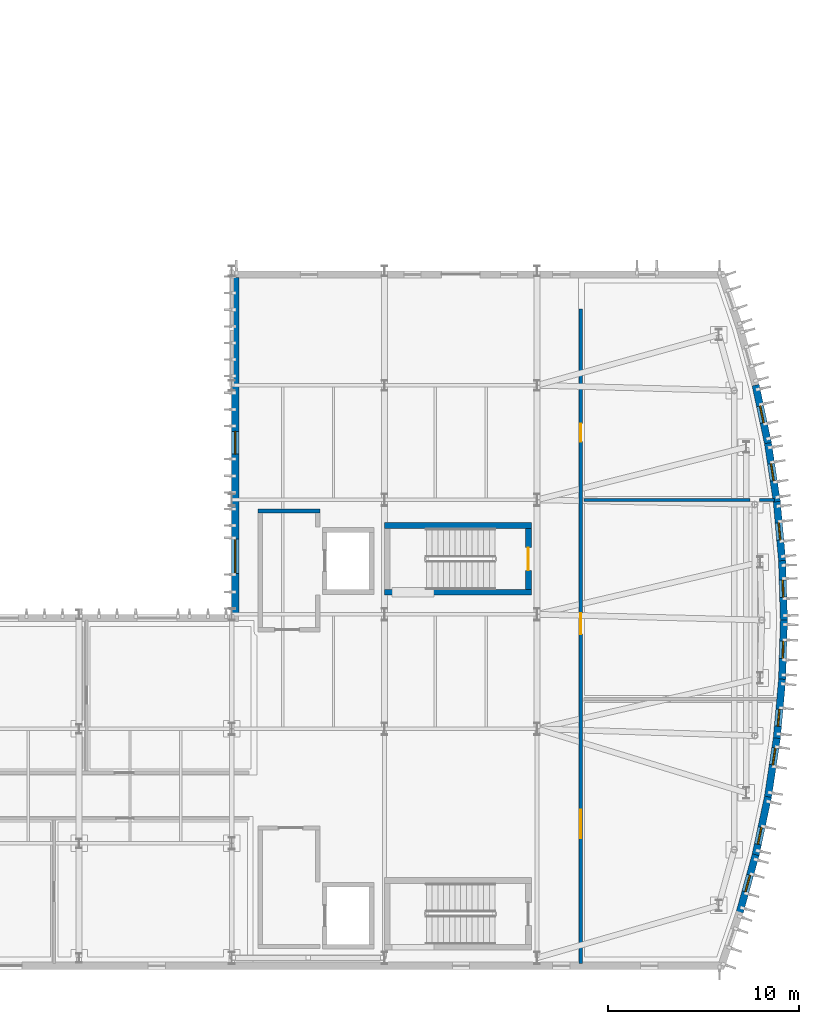
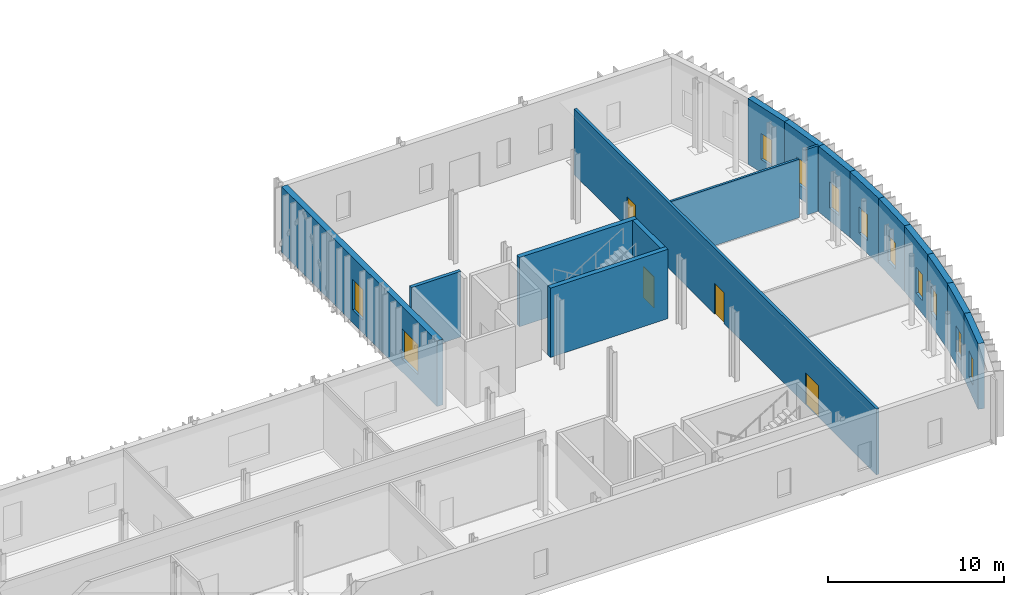
# One storey, part 33 of 60: 17 walls, 11 windows, 4 doors, 15 openings.
"""IFC4 building model written with IfcOpenShell, lengths in metres."""

from ifc_helpers import new_model, si_unit, direction, frame, frame_2d, origin, place, context, subcontext, project, spatial, rectangle, extrude, material, layer, layer_set, type_object, element, fill, save


model = new_model("IFC4")

# Units and contexts
model_context = context("Model", 3, precision=1e-05, world=origin(), true_north=direction((0.0, 1.0)))
body_context = subcontext(model_context, "Body", "Model", "MODEL_VIEW")
ifc_project = project(units=[si_unit("LENGTHUNIT", "METRE"), si_unit("AREAUNIT", "SQUARE_METRE"), si_unit("VOLUMEUNIT", "CUBIC_METRE"), si_unit("PLANEANGLEUNIT", "RADIAN"), si_unit("MASSUNIT", "GRAM", prefix="KILO")], contexts=[model_context])

# Site, building, storey
site_placement = place(None, origin())
site = spatial("IfcSite", under=ifc_project, at=site_placement, CompositionType="ELEMENT")
building_placement = place(site_placement, origin())
building = spatial("IfcBuilding", under=site, at=building_placement, Name="Cymarion Research Institute", CompositionType="ELEMENT")
storey_placement = place(building_placement, origin())
storey = spatial("IfcBuildingStorey", under=building, at=storey_placement, Name="L00", CompositionType="ELEMENT", Elevation=0.0)

# Wall, opening, window
ifc_material_1 = material(Name="Precast concrete C40/50", Category="concrete")
ifc_layer_1 = layer(ifc_material_1, 0.3798828125)
ifc_layer_set_1 = layer_set([ifc_layer_1], Name="Precast concrete C40/50")
wall_type_1 = type_object("IfcWallType", Name="EXTERIOR WALL EW-PC380 380MM", PredefinedType="SOLIDWALL", material=ifc_layer_set_1)
wall_1_placement = place(storey_placement, frame((165.222412109375, 7.8876953125, 0.0), z_axis=(0.0, 0.0, 1.0), x_axis=(0.266536691105, 0.963824772609, 0.0)))
wall_1 = element("IfcWall", 1, at=wall_1_placement, inside=storey, type_object=wall_type_1, Name="L00 V1 exterior wall EW-PC380 #40", PredefinedType="SOLIDWALL", context=body_context, shape_type="SweptSolid", body=[
    extrude(rectangle(XDim=3.1279296875, YDim=0.3798828125, at=frame_2d((1.56396484375, 0.0))), origin(), (0.0, 0.0, 1.0), 4.550048828125),
])
opening_1_placement = place(wall_1_placement, frame((1.114013671875, 0.0, 0.89990234375)))
opening_1 = element("IfcOpeningElement", 2, at=opening_1_placement, cuts=wall_1, Name="Opening W24", PredefinedType="OPENING", context=body_context, shape_type="SweptSolid", body=[
    extrude(rectangle(XDim=0.89990234375, YDim=1.800048828125, at=frame_2d((0.449951171875, 0.89990234375))), frame((0.0, 0.199951171875, 0.0), z_axis=(0.0, -1.0, 0.0), x_axis=(1.0, 0.0, 0.0)), (0.0, 0.0, 1.0), 0.39990234375),
])
ifc_material_2 = material(Name="Thermally broken aluminium window with Low-E glazing", Category="aluminium")
window_type_1 = type_object("IfcWindowType", Name="THERMALLY BROKEN ALUMINIUM WINDOW W24 900X1800", PartitioningType="SINGLE_PANEL", PredefinedType="WINDOW", material=ifc_material_2)
window_1_placement = place(opening_1_placement, origin())
window_1 = element("IfcWindow", 3, at=window_1_placement, inside=storey, type_object=window_type_1, Name="L00 V1 facade window W24 #11", OverallHeight=1.800048828125, OverallWidth=0.89990234375, PartitioningType="SINGLE_PANEL", PredefinedType="WINDOW", context=body_context, shape_type="SweptSolid", body=[
    extrude(rectangle(XDim=0.89990234375, YDim=1.800048828125, at=frame_2d((0.449951171875, 0.89990234375))), frame((0.0, 0.030029296875, 0.0), z_axis=(0.0, -1.0, 0.0), x_axis=(1.0, 0.0, 0.0)), (0.0, 0.0, 1.0), 0.06005859375),
])
fill(opening_1, window_1)

wall_2_placement = place(storey_placement, frame((166.05078125, 10.8798828125, 0.0), z_axis=(0.0, 0.0, 1.0), x_axis=(0.208287141705, 0.978067720866, 0.0)))
wall_2 = element("IfcWall", 4, at=wall_2_placement, inside=storey, type_object=wall_type_1, Name="L00 V1 exterior wall EW-PC380 #41", PredefinedType="SOLIDWALL", context=body_context, shape_type="SweptSolid", body=[
    extrude(rectangle(XDim=3.12841796875, YDim=0.3798828125, at=frame_2d((1.564208984375, 0.0))), origin(), (0.0, 0.0, 1.0), 4.550048828125),
])
opening_2_placement = place(wall_2_placement, frame((0.5830078125, 0.0, 0.89990234375)))
opening_2 = element("IfcOpeningElement", 5, at=opening_2_placement, cuts=wall_2, Name="Opening W24", PredefinedType="OPENING", context=body_context, shape_type="SweptSolid", body=[
    extrude(rectangle(XDim=0.89990234375, YDim=1.800048828125, at=frame_2d((0.449951171875, 0.89990234375))), frame((0.0, 0.199951171875, 0.0), z_axis=(0.0, -1.0, 0.0), x_axis=(1.0, 0.0, 0.0)), (0.0, 0.0, 1.0), 0.39990234375),
])
window_2_placement = place(opening_2_placement, origin())
window_2 = element("IfcWindow", 6, at=window_2_placement, inside=storey, type_object=window_type_1, Name="L00 V1 facade window W24 #12", OverallHeight=1.800048828125, OverallWidth=0.89990234375, PartitioningType="SINGLE_PANEL", PredefinedType="WINDOW", context=body_context, shape_type="SweptSolid", body=[
    extrude(rectangle(XDim=0.89990234375, YDim=1.800048828125, at=frame_2d((0.449951171875, 0.89990234375))), frame((0.0, 0.030029296875, 0.0), z_axis=(0.0, -1.0, 0.0), x_axis=(1.0, 0.0, 0.0)), (0.0, 0.0, 1.0), 0.06005859375),
])
fill(opening_2, window_2)

wall_3_placement = place(storey_placement, frame((166.698486328125, 13.91650390625, 0.0), z_axis=(0.0, 0.0, 1.0), x_axis=(0.149218139282, 0.988804301624, 0.0)))
wall_3 = element("IfcWall", 7, at=wall_3_placement, inside=storey, type_object=wall_type_1, Name="L00 V1 exterior wall EW-PC380 #42", PredefinedType="SOLIDWALL", context=body_context, shape_type="SweptSolid", body=[
    extrude(rectangle(XDim=3.128173828125, YDim=0.3798828125, at=frame_2d((1.56396484375, 0.0))), origin(), (0.0, 0.0, 1.0), 4.550048828125),
])
opening_3_placement = place(wall_3_placement, frame((1.7060546875, 0.0, 0.89990234375)))
opening_3 = element("IfcOpeningElement", 8, at=opening_3_placement, cuts=wall_3, Name="Opening W24", PredefinedType="OPENING", context=body_context, shape_type="SweptSolid", body=[
    extrude(rectangle(XDim=0.89990234375, YDim=1.800048828125, at=frame_2d((0.449951171875, 0.89990234375))), frame((0.0, 0.199951171875, 0.0), z_axis=(0.0, -1.0, 0.0), x_axis=(1.0, 0.0, 0.0)), (0.0, 0.0, 1.0), 0.39990234375),
])
window_3_placement = place(opening_3_placement, origin())
window_3 = element("IfcWindow", 9, at=window_3_placement, inside=storey, type_object=window_type_1, Name="L00 V1 facade window W24 #13", OverallHeight=1.800048828125, OverallWidth=0.89990234375, PartitioningType="SINGLE_PANEL", PredefinedType="WINDOW", context=body_context, shape_type="SweptSolid", body=[
    extrude(rectangle(XDim=0.89990234375, YDim=1.800048828125, at=frame_2d((0.449951171875, 0.89990234375))), frame((0.0, 0.030029296875, 0.0), z_axis=(0.0, -1.0, 0.0), x_axis=(1.0, 0.0, 0.0)), (0.0, 0.0, 1.0), 0.06005859375),
])
fill(opening_3, window_3)

wall_4_placement = place(storey_placement, frame((167.1630859375, 16.986572265625, 0.0), z_axis=(0.0, 0.0, 1.0), x_axis=(0.089747627339, 0.995964539222, 0.0)))
wall_4 = element("IfcWall", 10, at=wall_4_placement, inside=storey, type_object=wall_type_1, Name="L00 V1 exterior wall EW-PC380 #43", PredefinedType="SOLIDWALL", context=body_context, shape_type="SweptSolid", body=[
    extrude(rectangle(XDim=3.12841796875, YDim=0.3798828125, at=frame_2d((1.564208984375, 0.0))), origin(), (0.0, 0.0, 1.0), 4.550048828125),
])
opening_4_placement = place(wall_4_placement, frame((0.64892578125, 0.0, 0.89990234375)))
opening_4 = element("IfcOpeningElement", 11, at=opening_4_placement, cuts=wall_4, Name="Opening W24", PredefinedType="OPENING", context=body_context, shape_type="SweptSolid", body=[
    extrude(rectangle(XDim=0.89990234375, YDim=1.800048828125, at=frame_2d((0.449951171875, 0.89990234375))), frame((0.0, 0.199951171875, 0.0), z_axis=(0.0, -1.0, 0.0), x_axis=(1.0, 0.0, 0.0)), (0.0, 0.0, 1.0), 0.39990234375),
])
window_4_placement = place(opening_4_placement, origin())
window_4 = element("IfcWindow", 12, at=window_4_placement, inside=storey, type_object=window_type_1, Name="L00 V1 facade window W24 #14", OverallHeight=1.800048828125, OverallWidth=0.89990234375, PartitioningType="SINGLE_PANEL", PredefinedType="WINDOW", context=body_context, shape_type="SweptSolid", body=[
    extrude(rectangle(XDim=0.89990234375, YDim=1.800048828125, at=frame_2d((0.449951171875, 0.89990234375))), frame((0.0, 0.030029296875, 0.0), z_axis=(0.0, -1.0, 0.0), x_axis=(1.0, 0.0, 0.0)), (0.0, 0.0, 1.0), 0.06005859375),
])
fill(opening_4, window_4)

wall_5_placement = place(storey_placement, frame((167.44287109375, 20.078857421875, 0.0), z_axis=(0.0, 0.0, 1.0), x_axis=(0.02996779607, 0.999550864738, 0.0)))
wall_5 = element("IfcWall", 13, at=wall_5_placement, inside=storey, type_object=wall_type_1, Name="L00 V1 exterior wall EW-PC380 #44", PredefinedType="SOLIDWALL", context=body_context, shape_type="SweptSolid", body=[
    extrude(rectangle(XDim=3.12841796875, YDim=0.3798828125, at=frame_2d((1.564208984375, 0.0))), origin(), (0.0, 0.0, 1.0), 4.550048828125),
])
opening_5_placement = place(wall_5_placement, frame((1.114013671875, 0.0, 0.89990234375)))
opening_5 = element("IfcOpeningElement", 14, at=opening_5_placement, cuts=wall_5, Name="Opening W24", PredefinedType="OPENING", context=body_context, shape_type="SweptSolid", body=[
    extrude(rectangle(XDim=0.89990234375, YDim=1.800048828125, at=frame_2d((0.449951171875, 0.89990234375))), frame((0.0, 0.199951171875, 0.0), z_axis=(0.0, -1.0, 0.0), x_axis=(1.0, 0.0, 0.0)), (0.0, 0.0, 1.0), 0.39990234375),
])
window_5_placement = place(opening_5_placement, origin())
window_5 = element("IfcWindow", 15, at=window_5_placement, inside=storey, type_object=window_type_1, Name="L00 V1 facade window W24 #15", OverallHeight=1.800048828125, OverallWidth=0.89990234375, PartitioningType="SINGLE_PANEL", PredefinedType="WINDOW", context=body_context, shape_type="SweptSolid", body=[
    extrude(rectangle(XDim=0.89990234375, YDim=1.800048828125, at=frame_2d((0.449951171875, 0.89990234375))), frame((0.0, 0.030029296875, 0.0), z_axis=(0.0, -1.0, 0.0), x_axis=(1.0, 0.0, 0.0)), (0.0, 0.0, 1.0), 0.06005859375),
])
fill(opening_5, window_5)

wall_6_placement = place(storey_placement, frame((167.536865234375, 23.182373046875, 0.0), z_axis=(0.0, 0.0, 1.0), x_axis=(-0.029970133922, 0.999550794644, 0.0)))
wall_6 = element("IfcWall", 16, at=wall_6_placement, inside=storey, type_object=wall_type_1, Name="L00 V1 exterior wall EW-PC380 #45", PredefinedType="SOLIDWALL", context=body_context, shape_type="SweptSolid", body=[
    extrude(rectangle(XDim=3.128173828125, YDim=0.3798828125, at=frame_2d((1.56396484375, 0.0))), origin(), (0.0, 0.0, 1.0), 4.550048828125),
])
opening_6_placement = place(wall_6_placement, frame((1.214111328125, 0.0, 0.89990234375)))
opening_6 = element("IfcOpeningElement", 17, at=opening_6_placement, cuts=wall_6, Name="Opening W24", PredefinedType="OPENING", context=body_context, shape_type="SweptSolid", body=[
    extrude(rectangle(XDim=0.89990234375, YDim=1.800048828125, at=frame_2d((0.449951171875, 0.89990234375))), frame((0.0, 0.199951171875, 0.0), z_axis=(0.0, -1.0, 0.0), x_axis=(1.0, 0.0, 0.0)), (0.0, 0.0, 1.0), 0.39990234375),
])
window_6_placement = place(opening_6_placement, origin())
window_6 = element("IfcWindow", 18, at=window_6_placement, inside=storey, type_object=window_type_1, Name="L00 V1 facade window W24 #16", OverallHeight=1.800048828125, OverallWidth=0.89990234375, PartitioningType="SINGLE_PANEL", PredefinedType="WINDOW", context=body_context, shape_type="SweptSolid", body=[
    extrude(rectangle(XDim=0.89990234375, YDim=1.800048828125, at=frame_2d((0.449951171875, 0.89990234375))), frame((0.0, 0.030029296875, 0.0), z_axis=(0.0, -1.0, 0.0), x_axis=(1.0, 0.0, 0.0)), (0.0, 0.0, 1.0), 0.06005859375),
])
fill(opening_6, window_6)

wall_7_placement = place(storey_placement, frame((167.44482421875, 26.285888671875, 0.0), z_axis=(0.0, 0.0, 1.0), x_axis=(-0.089747627339, 0.995964539222, 0.0)))
wall_7 = element("IfcWall", 19, at=wall_7_placement, inside=storey, type_object=wall_type_1, Name="L00 V1 exterior wall EW-PC380 #46", PredefinedType="SOLIDWALL", context=body_context, shape_type="SweptSolid", body=[
    extrude(rectangle(XDim=3.12841796875, YDim=0.3798828125, at=frame_2d((1.564208984375, 0.0))), origin(), (0.0, 0.0, 1.0), 4.550048828125),
])
opening_7_placement = place(wall_7_placement, frame((1.114013671875, 0.0, 0.89990234375)))
opening_7 = element("IfcOpeningElement", 20, at=opening_7_placement, cuts=wall_7, Name="Opening W24", PredefinedType="OPENING", context=body_context, shape_type="SweptSolid", body=[
    extrude(rectangle(XDim=0.89990234375, YDim=1.800048828125, at=frame_2d((0.449951171875, 0.89990234375))), frame((0.0, 0.199951171875, 0.0), z_axis=(0.0, -1.0, 0.0), x_axis=(1.0, 0.0, 0.0)), (0.0, 0.0, 1.0), 0.39990234375),
])
window_7_placement = place(opening_7_placement, origin())
window_7 = element("IfcWindow", 21, at=window_7_placement, inside=storey, type_object=window_type_1, Name="L00 V1 facade window W24 #17", OverallHeight=1.800048828125, OverallWidth=0.89990234375, PartitioningType="SINGLE_PANEL", PredefinedType="WINDOW", context=body_context, shape_type="SweptSolid", body=[
    extrude(rectangle(XDim=0.89990234375, YDim=1.800048828125, at=frame_2d((0.449951171875, 0.89990234375))), frame((0.0, 0.030029296875, 0.0), z_axis=(0.0, -1.0, 0.0), x_axis=(1.0, 0.0, 0.0)), (0.0, 0.0, 1.0), 0.06005859375),
])
fill(opening_7, window_7)

wall_8_placement = place(storey_placement, frame((167.167236328125, 29.37841796875, 0.0), z_axis=(0.0, 0.0, 1.0), x_axis=(-0.149305964746, 0.988791044099, 0.0)))
wall_8 = element("IfcWall", 22, at=wall_8_placement, inside=storey, type_object=wall_type_1, Name="L00 V1 exterior wall EW-PC380 #47", PredefinedType="SOLIDWALL", context=body_context, shape_type="SweptSolid", body=[
    extrude(rectangle(XDim=3.128173828125, YDim=0.3798828125, at=frame_2d((1.56396484375, 0.0))), origin(), (0.0, 0.0, 1.0), 4.550048828125),
])
opening_8_placement = place(wall_8_placement, frame((1.132080078125, 0.0, 0.89990234375)))
opening_8 = element("IfcOpeningElement", 23, at=opening_8_placement, cuts=wall_8, Name="Opening W24", PredefinedType="OPENING", context=body_context, shape_type="SweptSolid", body=[
    extrude(rectangle(XDim=0.89990234375, YDim=1.800048828125, at=frame_2d((0.449951171875, 0.89990234375))), frame((0.0, 0.199951171875, 0.0), z_axis=(0.0, -1.0, 0.0), x_axis=(1.0, 0.0, 0.0)), (0.0, 0.0, 1.0), 0.39990234375),
])
window_8_placement = place(opening_8_placement, origin())
window_8 = element("IfcWindow", 24, at=window_8_placement, inside=storey, type_object=window_type_1, Name="L00 V1 facade window W24 #18", OverallHeight=1.800048828125, OverallWidth=0.89990234375, PartitioningType="SINGLE_PANEL", PredefinedType="WINDOW", context=body_context, shape_type="SweptSolid", body=[
    extrude(rectangle(XDim=0.89990234375, YDim=1.800048828125, at=frame_2d((0.449951171875, 0.89990234375))), frame((0.0, 0.030029296875, 0.0), z_axis=(0.0, -1.0, 0.0), x_axis=(1.0, 0.0, 0.0)), (0.0, 0.0, 1.0), 0.06005859375),
])
fill(opening_8, window_8)

wall_9_placement = place(storey_placement, frame((166.704833984375, 32.448486328125, 0.0), z_axis=(0.0, 0.0, 1.0), x_axis=(-0.208212486116, 0.978083616377, 0.0)))
wall_9 = element("IfcWall", 25, at=wall_9_placement, inside=storey, type_object=wall_type_1, Name="L00 V1 exterior wall EW-PC380 #48", PredefinedType="SOLIDWALL", context=body_context, shape_type="SweptSolid", body=[
    extrude(rectangle(XDim=3.12841796875, YDim=0.3798828125, at=frame_2d((1.564208984375, 0.0))), origin(), (0.0, 0.0, 1.0), 4.550048828125),
])
opening_9_placement = place(wall_9_placement, frame((1.114013671875, 0.0, 0.89990234375)))
opening_9 = element("IfcOpeningElement", 26, at=opening_9_placement, cuts=wall_9, Name="Opening W24", PredefinedType="OPENING", context=body_context, shape_type="SweptSolid", body=[
    extrude(rectangle(XDim=0.89990234375, YDim=1.800048828125, at=frame_2d((0.449951171875, 0.89990234375))), frame((0.0, 0.199951171875, 0.0), z_axis=(0.0, -1.0, 0.0), x_axis=(1.0, 0.0, 0.0)), (0.0, 0.0, 1.0), 0.39990234375),
])
window_9_placement = place(opening_9_placement, origin())
window_9 = element("IfcWindow", 27, at=window_9_placement, inside=storey, type_object=window_type_1, Name="L00 V1 facade window W24 #19", OverallHeight=1.800048828125, OverallWidth=0.89990234375, PartitioningType="SINGLE_PANEL", PredefinedType="WINDOW", context=body_context, shape_type="SweptSolid", body=[
    extrude(rectangle(XDim=0.89990234375, YDim=1.800048828125, at=frame_2d((0.449951171875, 0.89990234375))), frame((0.0, 0.030029296875, 0.0), z_axis=(0.0, -1.0, 0.0), x_axis=(1.0, 0.0, 0.0)), (0.0, 0.0, 1.0), 0.06005859375),
])
fill(opening_9, window_9)

# Wall, openings, windows
wall_10_placement = place(storey_placement, frame((138.7900390625, 41.137939453125, 0.0), z_axis=(0.0, 0.0, 1.0), x_axis=(0.0, -1.0, 0.0)))
wall_10 = element("IfcWall", 28, at=wall_10_placement, inside=storey, type_object=wall_type_1, Name="L00 V1 exterior wall EW-PC380 #52", PredefinedType="SOLIDWALL", context=body_context, shape_type="SweptSolid", body=[
    extrude(rectangle(XDim=17.637939453125, YDim=0.3798828125, at=frame_2d((8.81884765625, 0.0))), origin(), (0.0, 0.0, 1.0), 4.550048828125),
])
opening_10_placement = place(wall_10_placement, frame((8.048095703125, 0.0, 0.89990234375)))
opening_10 = element("IfcOpeningElement", 29, at=opening_10_placement, cuts=wall_10, Name="Opening W08", PredefinedType="OPENING", context=body_context, shape_type="SweptSolid", body=[
    extrude(rectangle(XDim=1.199951171875, YDim=2.10009765625, at=frame_2d((0.60009765625, 1.050048828125))), frame((0.0, 0.199951171875, 0.0), z_axis=(0.0, -1.0, 0.0), x_axis=(1.0, 0.0, 0.0)), (0.0, 0.0, 1.0), 0.39990234375),
])
opening_11_placement = place(wall_10_placement, frame((13.68798828125, 0.0, 0.89990234375)))
opening_11 = element("IfcOpeningElement", 30, at=opening_11_placement, cuts=wall_10, Name="Opening W10", PredefinedType="OPENING", context=body_context, shape_type="SweptSolid", body=[
    extrude(rectangle(XDim=1.800048828125, YDim=2.10009765625, at=frame_2d((0.89990234375, 1.050048828125))), frame((0.0, 0.199951171875, 0.0), z_axis=(0.0, -1.0, 0.0), x_axis=(1.0, 0.0, 0.0)), (0.0, 0.0, 1.0), 0.39990234375),
])
window_type_2 = type_object("IfcWindowType", Name="THERMALLY BROKEN ALUMINIUM WINDOW W08 1200X2100", PartitioningType="SINGLE_PANEL", PredefinedType="WINDOW", material=ifc_material_2)
window_10_placement = place(opening_10_placement, origin())
window_10 = element("IfcWindow", 31, at=window_10_placement, inside=storey, type_object=window_type_2, Name="L00 V1 facade window W08 #27", OverallHeight=2.10009765625, OverallWidth=1.199951171875, PartitioningType="SINGLE_PANEL", PredefinedType="WINDOW", context=body_context, shape_type="SweptSolid", body=[
    extrude(rectangle(XDim=1.199951171875, YDim=2.10009765625, at=frame_2d((0.60009765625, 1.050048828125))), frame((0.0, 0.030029296875, 0.0), z_axis=(0.0, -1.0, 0.0), x_axis=(1.0, 0.0, 0.0)), (0.0, 0.0, 1.0), 0.06005859375),
])
fill(opening_10, window_10)
window_type_3 = type_object("IfcWindowType", Name="THERMALLY BROKEN ALUMINIUM WINDOW W10 1800X2100", PartitioningType="DOUBLE_PANEL_VERTICAL", PredefinedType="WINDOW", material=ifc_material_2)
window_11_placement = place(opening_11_placement, origin())
window_11 = element("IfcWindow", 32, at=window_11_placement, inside=storey, type_object=window_type_3, Name="L00 V1 facade window W10 #28", OverallHeight=2.10009765625, OverallWidth=1.800048828125, PartitioningType="SINGLE_PANEL", PredefinedType="WINDOW", context=body_context, shape_type="SweptSolid", body=[
    extrude(rectangle(XDim=1.800048828125, YDim=2.10009765625, at=frame_2d((0.89990234375, 1.050048828125))), frame((0.0, 0.030029296875, 0.0), z_axis=(0.0, -1.0, 0.0), x_axis=(1.0, 0.0, 0.0)), (0.0, 0.0, 1.0), 0.06005859375),
])
fill(opening_11, window_11)

# Walls
ifc_material_3 = material(Name="Gypsum acoustic double-stud partition", Category="gypsum")
ifc_layer_2 = layer(ifc_material_3, 0.14990234375)
ifc_layer_set_2 = layer_set([ifc_layer_2], Name="Gypsum acoustic double-stud partition")
wall_type_2 = type_object("IfcWallType", Name="INTERIOR PARTITION IW-AC150 150MM", PredefinedType="PARTITIONING", material=ifc_layer_set_2)
wall_11_placement = place(storey_placement, frame((157.050048828125, 29.5, 0.0), z_axis=(0.0, 0.0, 1.0), x_axis=(1.0, 0.0, 0.0)))
element("IfcWall", 33, at=wall_11_placement, inside=storey, type_object=wall_type_2, Name="L00 V1 interior partition IW-AC150 #62", PredefinedType="PARTITIONING", context=body_context, shape_type="SweptSolid", body=[
    extrude(rectangle(XDim=8.712890625, YDim=0.14990234375, at=frame_2d((4.3564453125, 0.0))), origin(), (0.0, 0.0, 1.0), 4.050048828125),
])
wall_12_placement = place(storey_placement, frame((166.262939453125, 29.5, 0.0), z_axis=(0.0, 0.0, 1.0), x_axis=(1.0, 0.0, 0.0)))
element("IfcWall", 34, at=wall_12_placement, inside=storey, type_object=wall_type_2, Name="L00 V1 interior partition IW-AC150 #63", PredefinedType="PARTITIONING", context=body_context, shape_type="SweptSolid", body=[
    extrude(rectangle(XDim=0.769775390625, YDim=0.14990234375, at=frame_2d((0.384765625, 0.0))), origin(), (0.0, 0.0, 1.0), 4.550048828125),
])

# Wall, openings, doors
ifc_material_4 = material(Name="Moisture-resistant laboratory partition", Category="gypsum")
ifc_layer_3 = layer(ifc_material_4, 0.179931640625)
ifc_layer_set_3 = layer_set([ifc_layer_3], Name="Moisture-resistant laboratory partition")
wall_type_3 = type_object("IfcWallType", Name="INTERIOR PARTITION IW-LB180 180MM", PredefinedType="PARTITIONING", material=ifc_layer_set_3)
wall_13_placement = place(storey_placement, frame((156.89990234375, 5.205078125, 0.0), z_axis=(0.0, 0.0, 1.0), x_axis=(0.0, 1.0, 0.0)))
wall_13 = element("IfcWall", 35, at=wall_13_placement, inside=storey, type_object=wall_type_3, Name="L00 V1 interior partition IW-LB180 #60", PredefinedType="PARTITIONING", context=body_context, shape_type="SweptSolid", body=[
    extrude(rectangle(XDim=34.294921875, YDim=0.179931640625, at=frame_2d((17.1474609375, 0.0))), origin(), (0.0, 0.0, 1.0), 4.550048828125),
])
opening_12_placement = place(wall_13_placement, frame((6.55908203125, 0.0, 0.0)))
opening_12 = element("IfcOpeningElement", 36, at=opening_12_placement, cuts=wall_13, Name="Opening D-L00-044", PredefinedType="OPENING", context=body_context, shape_type="SweptSolid", body=[
    extrude(rectangle(XDim=1.5, YDim=2.199951171875, at=frame_2d((0.75, 1.10009765625))), frame((0.0, 0.099853515625, 0.0), z_axis=(0.0, -1.0, 0.0), x_axis=(1.0, 0.0, 0.0)), (0.0, 0.0, 1.0), 0.199951171875),
])
opening_13_placement = place(wall_13_placement, frame((17.260986328125, 0.0, 0.0)))
opening_13 = element("IfcOpeningElement", 37, at=opening_13_placement, cuts=wall_13, Name="Opening D-L00-045", PredefinedType="OPENING", context=body_context, shape_type="SweptSolid", body=[
    extrude(rectangle(XDim=1.10009765625, YDim=2.14990234375, at=frame_2d((0.550048828125, 1.074951171875))), frame((0.0, 0.099853515625, 0.0), z_axis=(0.0, -1.0, 0.0), x_axis=(1.0, 0.0, 0.0)), (0.0, 0.0, 1.0), 0.199951171875),
])
opening_14_placement = place(wall_13_placement, frame((27.343017578125, 0.0, 0.0)))
opening_14 = element("IfcOpeningElement", 38, at=opening_14_placement, cuts=wall_13, Name="Opening D-L00-046", PredefinedType="OPENING", context=body_context, shape_type="SweptSolid", body=[
    extrude(rectangle(XDim=0.949951171875, YDim=2.10009765625, at=frame_2d((0.47509765625, 1.050048828125))), frame((0.0, 0.099853515625, 0.0), z_axis=(0.0, -1.0, 0.0), x_axis=(1.0, 0.0, 0.0)), (0.0, 0.0, 1.0), 0.199951171875),
])
ifc_material_5 = material(Name="Flush acoustic timber/steel door assembly", Category="steel")
door_type_1 = type_object("IfcDoorType", Name="FACULTY STUDY DOOR DT-OF095 950X2100", OperationType="NOTDEFINED", PredefinedType="DOOR", material=ifc_material_5)
door_1_placement = place(opening_14_placement, origin())
door_1 = element("IfcDoor", 39, at=door_1_placement, inside=storey, type_object=door_type_1, Name="L00 Prow Seminar door D-L00-046", OperationType="SINGLE_SWING_LEFT", OverallHeight=2.10009765625, OverallWidth=0.949951171875, PredefinedType="DOOR", context=body_context, shape_type="SweptSolid", body=[
    extrude(rectangle(XDim=0.949951171875, YDim=2.10009765625, at=frame_2d((0.47509765625, 1.050048828125))), frame((0.0, 0.02490234375, 0.0), z_axis=(0.0, -1.0, 0.0), x_axis=(1.0, 0.0, 0.0)), (0.0, 0.0, 1.0), 0.050048828125),
])
fill(opening_14, door_1)
door_type_2 = type_object("IfcDoorType", Name="LABORATORY EQUIPMENT DOUBLE DOOR DT-LB150 1500X2200", OperationType="DOUBLE_DOOR_SINGLE_SWING", PredefinedType="DOOR", material=ifc_material_5)
door_2_placement = place(opening_12_placement, origin())
door_2 = element("IfcDoor", 40, at=door_2_placement, inside=storey, type_object=door_type_2, Name="L00 Prow Lab 1 door D-L00-044", OperationType="DOUBLE_DOOR_SINGLE_SWING", OverallHeight=2.199951171875, OverallWidth=1.5, PredefinedType="DOOR", context=body_context, shape_type="SweptSolid", body=[
    extrude(rectangle(XDim=1.5, YDim=2.199951171875, at=frame_2d((0.75, 1.10009765625))), frame((0.0, 0.02490234375, 0.0), z_axis=(0.0, -1.0, 0.0), x_axis=(1.0, 0.0, 0.0)), (0.0, 0.0, 1.0), 0.050048828125),
])
fill(opening_12, door_2)
door_type_3 = type_object("IfcDoorType", Name="LABORATORY WIDE SINGLE DOOR DT-LB110 1100X2150", OperationType="NOTDEFINED", PredefinedType="DOOR", material=ifc_material_5)
door_3_placement = place(opening_13_placement, origin())
door_3 = element("IfcDoor", 41, at=door_3_placement, inside=storey, type_object=door_type_3, Name="L00 Prow Lab 2 door D-L00-045", OperationType="SINGLE_SWING_RIGHT", OverallHeight=2.14990234375, OverallWidth=1.10009765625, PredefinedType="DOOR", context=body_context, shape_type="SweptSolid", body=[
    extrude(rectangle(XDim=1.10009765625, YDim=2.14990234375, at=frame_2d((0.550048828125, 1.074951171875))), frame((0.0, 0.02490234375, 0.0), z_axis=(0.0, -1.0, 0.0), x_axis=(1.0, 0.0, 0.0)), (0.0, 0.0, 1.0), 0.050048828125),
])
fill(opening_13, door_3)

# Walls
ifc_material_6 = material(Name="Concrete C40/50", Category="concrete")
ifc_layer_4 = layer(ifc_material_6, 0.219970703125)
ifc_layer_set_4 = layer_set([ifc_layer_4], Name="Concrete C40/50")
wall_type_4 = type_object("IfcWallType", Name="REINFORCED CONCRETE CORE WALL CW-FF220 220MM", PredefinedType="SOLIDWALL", material=ifc_layer_set_4)
wall_14_placement = place(storey_placement, frame((143.219970703125, 28.909912109375, 0.0), z_axis=(0.0, 0.0, 1.0), x_axis=(-1.0, 0.0, 0.0)))
element("IfcWall", 42, at=wall_14_placement, inside=storey, type_object=wall_type_4, Name="L00 FFL-LF2-L00 north core wall", PredefinedType="SOLIDWALL", context=body_context, shape_type="SweptSolid", body=[
    extrude(rectangle(XDim=3.239990234375, YDim=0.219970703125, at=frame_2d((1.6201171875, 0.0))), origin(), (0.0, 0.0, 1.0), 4.550048828125),
])
ifc_layer_5 = layer(ifc_material_6, 0.300048828125)
ifc_layer_set_5 = layer_set([ifc_layer_5], Name="Concrete C40/50")
wall_type_5 = type_object("IfcWallType", Name="REINFORCED CONCRETE CORE WALL CW-SH300 300MM", PredefinedType="SHEAR", material=ifc_layer_set_5)
for number, where, z_axis, x_axis, name in (
    (43, (146.60009765625, 24.64990234375, 0.0), (0.0, 0.0, 1.0), (1.0, 0.0, 0.0), "L00 SHW-C2-L00 south core wall"),
    (44, (154.300048828125, 28.14990234375, 0.0), (0.0, 0.0, 1.0), (-1.0, 0.0, 0.0), "L00 SHW-C2-L00 north core wall"),
):
    element("IfcWall", number, at=place(storey_placement, frame(where, z_axis=z_axis, x_axis=x_axis)), inside=storey, type_object=wall_type_5, Name=name, PredefinedType="SHEAR", context=body_context, shape_type="SweptSolid", body=[
        extrude(rectangle(XDim=7.699951171875, YDim=0.300048828125, at=frame_2d((3.85009765625, 0.0))), origin(), (0.0, 0.0, 1.0), 4.800048828125),
    ])

# Wall, opening, door
wall_15_placement = place(storey_placement, frame((154.14990234375, 24.800048828125, 0.0), z_axis=(0.0, 0.0, 1.0), x_axis=(0.0, 1.0, 0.0)))
wall_15 = element("IfcWall", 45, at=wall_15_placement, inside=storey, type_object=wall_type_5, Name="L00 SHW-C2-L00 east core wall", PredefinedType="SHEAR", context=body_context, shape_type="SweptSolid", body=[
    extrude(rectangle(XDim=3.199951171875, YDim=0.300048828125, at=frame_2d((1.60009765625, 0.0))), origin(), (0.0, 0.0, 1.0), 4.800048828125),
])
opening_15_placement = place(wall_15_placement, frame((1.0, 0.0, 0.0)))
opening_15 = element("IfcOpeningElement", 46, at=opening_15_placement, cuts=wall_15, Name="Opening FD-L00-ST2", PredefinedType="OPENING", context=body_context, shape_type="SweptSolid", body=[
    extrude(rectangle(XDim=1.199951171875, YDim=2.14990234375, at=frame_2d((0.60009765625, 1.074951171875))), frame((0.0, 0.159912109375, 0.0), z_axis=(0.0, -1.0, 0.0), x_axis=(1.0, 0.0, 0.0)), (0.0, 0.0, 1.0), 0.320068359375),
])
ifc_material_7 = material(Name="Fire-rated insulated steel door assembly", Category="steel")
door_type_4 = type_object("IfcDoorType", Name="SMOKE PROOF STAIR FIRE DOOR DT-ST120 1200X2150", OperationType="NOTDEFINED", PredefinedType="DOOR", material=ifc_material_7)
door_4_placement = place(opening_15_placement, frame((1.199951171875, 0.0, 0.0), z_axis=(0.0, 0.0, 1.0), x_axis=(-1.0, 0.0, 0.0)))
door_4 = element("IfcDoor", 47, at=door_4_placement, inside=storey, type_object=door_type_4, Name="L00 ST2 smoke-proof stair door FD-L00-ST2", OperationType="SINGLE_SWING_LEFT", OverallHeight=2.14990234375, OverallWidth=1.199951171875, PredefinedType="DOOR", context=body_context, shape_type="SweptSolid", body=[
    extrude(rectangle(XDim=1.199951171875, YDim=2.14990234375, at=frame_2d((0.60009765625, 1.074951171875))), frame((0.0, 0.02490234375, 0.0), z_axis=(0.0, -1.0, 0.0), x_axis=(1.0, 0.0, 0.0)), (0.0, 0.0, 1.0), 0.050048828125),
])
fill(opening_15, door_4)

save(model, "model.ifc")
